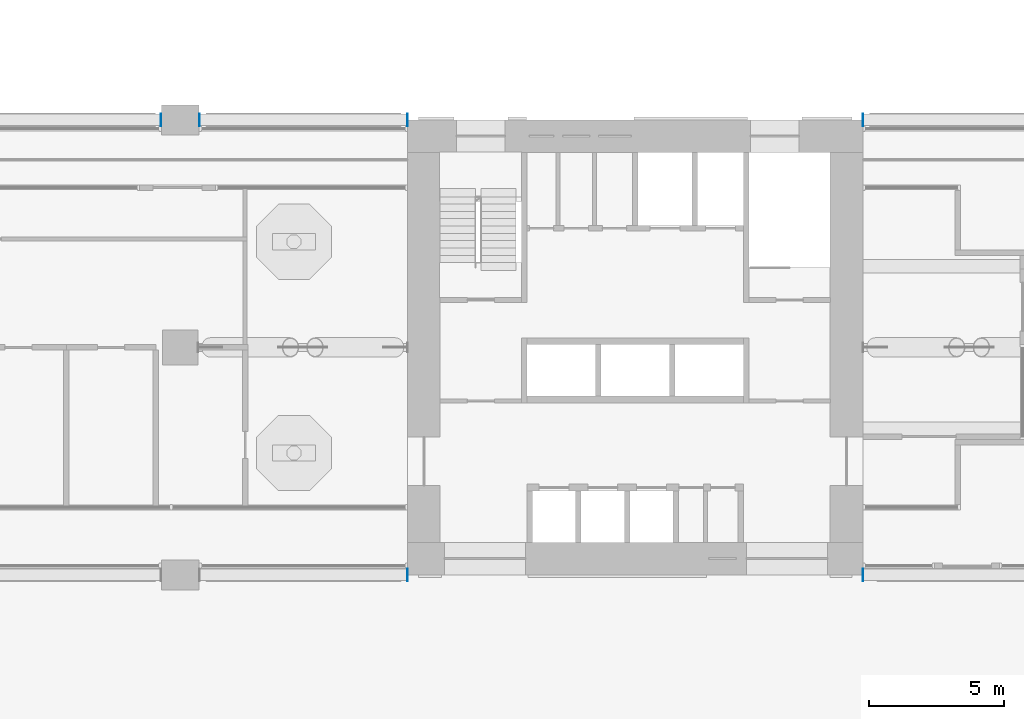
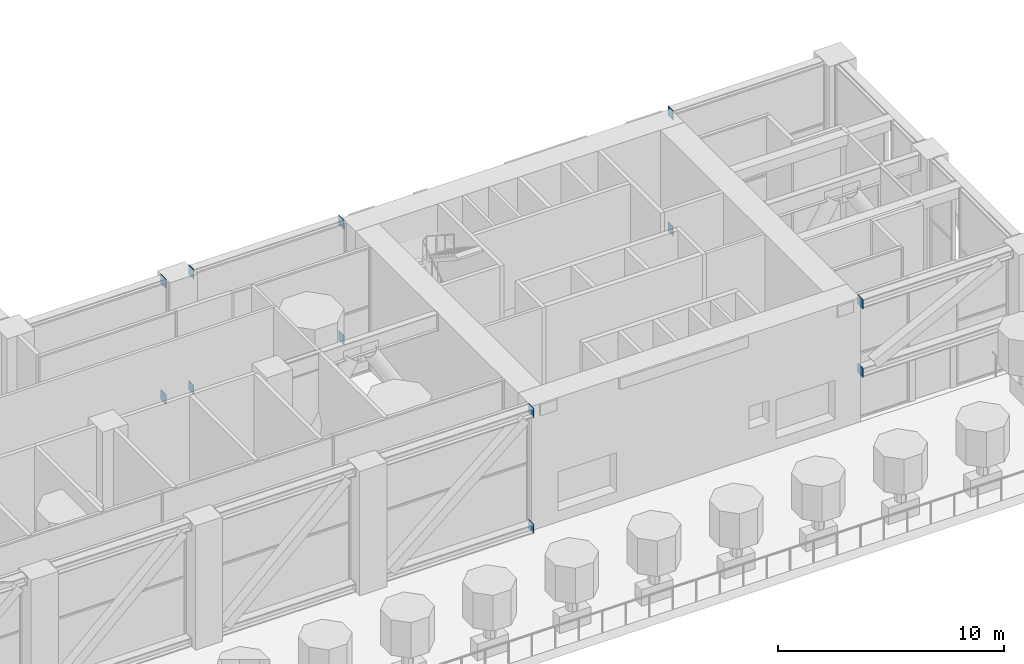
# One storey, part 20 of 28: 12 discrete accessories.
"""IFC4 building model written with IfcOpenShell, lengths in metres."""

from ifc_helpers import new_model, si_unit, direction, frame, origin, origin_2d, place, context, subcontext, project, spatial, rectangle, extrude, element, save


model = new_model("IFC4")

# Units and contexts
model_context = context("Model", 3, precision=1e-05, world=origin(), true_north=direction((0.0, 1.0)))
body_context = subcontext(model_context, "Body", "Model", "MODEL_VIEW")
ifc_project = project(units=[si_unit("LENGTHUNIT", "METRE"), si_unit("AREAUNIT", "SQUARE_METRE"), si_unit("VOLUMEUNIT", "CUBIC_METRE"), si_unit("PLANEANGLEUNIT", "RADIAN"), si_unit("MASSUNIT", "GRAM", prefix="KILO")], contexts=[model_context])

# Site, building, storey
site_placement = place(None, origin())
site = spatial("IfcSite", under=ifc_project, at=site_placement, CompositionType="ELEMENT")
building_placement = place(site_placement, origin())
building = spatial("IfcBuilding", under=site, at=building_placement, Name="Vermilion Gate Residences", CompositionType="ELEMENT")
storey_placement = place(building_placement, frame((0.0, 0.0, 74.199951171875)))
storey = spatial("IfcBuildingStorey", under=building, at=storey_placement, Name="L18", CompositionType="ELEMENT", Elevation=74.199951171875)

# Discrete accessories
for number, where, z_axis, x_axis, name in (
    (1, (32.887451171875, 25.199951171875, -0.02490234375), (0.0, 0.0, 1.0), (1.0, 0.0, 0.0), "End plate B18BELT14B 2"),
    (2, (32.887451171875, 25.199951171875, 6.23681640625), (0.0, 0.0, 1.0), (1.0, 0.0, 0.0), "End plate B18BELT14T 2"),
    (3, (41.987548828125, 8.39990234375, -0.02490234375), (0.0, 0.0, 1.0), (1.0, 0.0, 0.0), "End plate B18BELT15B 2"),
    (4, (41.987548828125, 8.39990234375, 6.23681640625), (0.0, 0.0, 1.0), (1.0, 0.0, 0.0), "End plate B18BELT15T 2"),
    (5, (34.3125, 25.199951171875, -0.02490234375), (0.0, 0.0, 1.0), (1.0, 0.0, 0.0), "End plate B18BELT16B 1"),
    (6, (41.987548828125, 25.199951171875, -0.02490234375), (0.0, 0.0, 1.0), (1.0, 0.0, 0.0), "End plate B18BELT16B 2"),
    (7, (34.3125, 25.199951171875, 6.23681640625), (0.0, 0.0, 1.0), (1.0, 0.0, 0.0), "End plate B18BELT16T 1"),
    (8, (41.987548828125, 25.199951171875, 6.23681640625), (0.0, 0.0, 1.0), (1.0, 0.0, 0.0), "End plate B18BELT16T 2"),
    (9, (58.8125, 8.39990234375, 2.52490234375), (0.0, 0.0, 1.0), (1.0, 0.0, 0.0), "End plate B18BELT17B 1"),
    (10, (58.8125, 8.39990234375, 6.23681640625), (0.0, 0.0, 1.0), (1.0, 0.0, 0.0), "End plate B18BELT17T 1"),
    (11, (58.8125, 25.199951171875, -0.02490234375), (0.0, 0.0, 1.0), (1.0, 0.0, 0.0), "End plate B18BELT20B 1"),
    (12, (58.8125, 25.199951171875, 6.23681640625), (0.0, 0.0, 1.0), (1.0, 0.0, 0.0), "End plate B18BELT20T 1"),
):
    element("IfcDiscreteAccessory", number, at=place(storey_placement, frame(where, z_axis=z_axis, x_axis=x_axis)), inside=storey, Name=name, ObjectType="END PLATE", PredefinedType="USERDEFINED", context=body_context, shape_type="SweptSolid", body=[
        extrude(rectangle(XDim=0.02490234375, YDim=0.467041015625, at=origin_2d()), origin(), (0.0, 0.0, 1.0), 0.508056640625),
    ])

save(model, "model.ifc")
